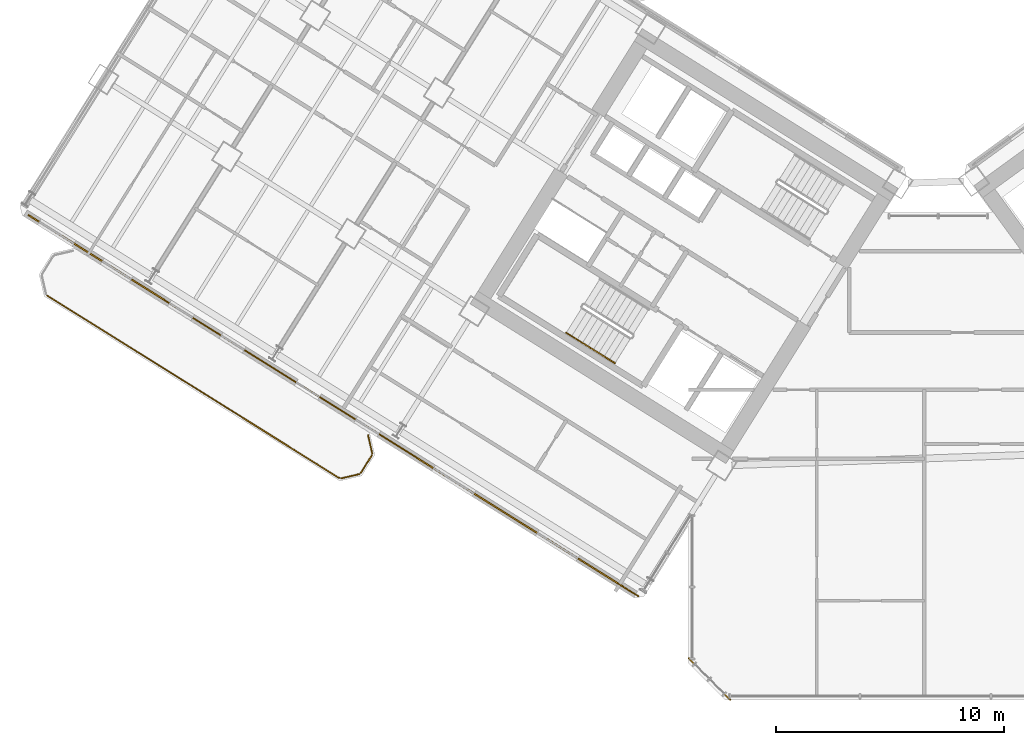
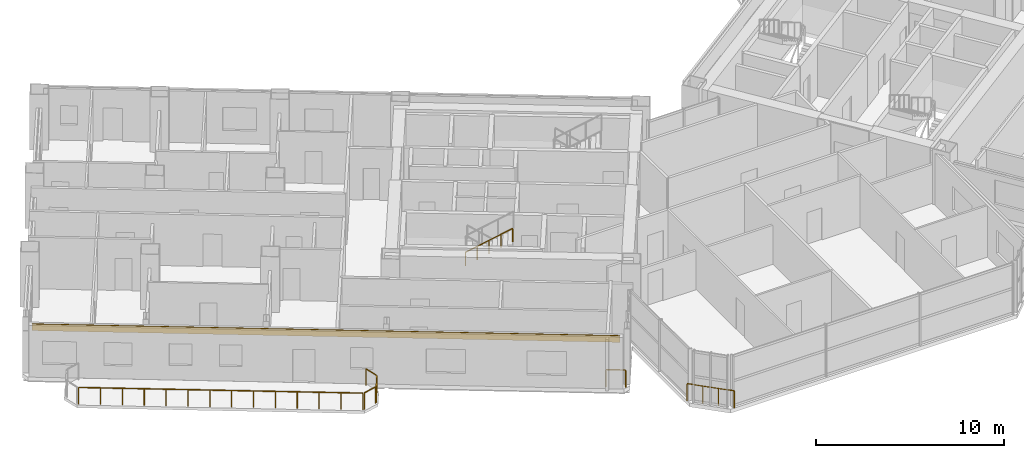
# One storey, part 21 of 28: 8 railings, 1 covering.
"""IFC4 building model written with IfcOpenShell, lengths in metres."""

from ifc_helpers import new_model, si_unit, direction, frame, origin, origin_2d, place, context, subcontext, project, spatial, rectangle, extrude, source, transform, mapped, material, layer, layer_set, type_object, element, save


model = new_model("IFC4")

# Units and contexts
model_context = context("Model", 3, precision=1e-05, world=origin(), true_north=direction((0.0, 1.0)))
body_context = subcontext(model_context, "Body", "Model", "MODEL_VIEW")
ifc_project = project(units=[si_unit("LENGTHUNIT", "METRE"), si_unit("AREAUNIT", "SQUARE_METRE"), si_unit("VOLUMEUNIT", "CUBIC_METRE"), si_unit("PLANEANGLEUNIT", "RADIAN"), si_unit("MASSUNIT", "GRAM", prefix="KILO")], contexts=[model_context])

# Site, building, storey
site_placement = place(None, origin())
site = spatial("IfcSite", under=ifc_project, at=site_placement, CompositionType="ELEMENT")
building_placement = place(site_placement, origin())
building = spatial("IfcBuilding", under=site, at=building_placement, Name="Tlacorven Tower", CompositionType="ELEMENT")
storey_placement = place(building_placement, frame((0.0, 0.0, 49.199951171875)))
storey = spatial("IfcBuildingStorey", under=building, at=storey_placement, Name="L12", CompositionType="ELEMENT", Elevation=49.199951171875)

# Railings
ifc_material_1 = material(Name="Aluminium and painted steel balustrade", Category="steel")
railing_type_1 = type_object("IfcRailingType", Name="RL-BAL-1100", PredefinedType="BALUSTRADE", material=ifc_material_1)
shared_shape_1 = source(origin(), body_context, "Body", "SweptSolid", [
    extrude(rectangle(XDim=0.048095703125, YDim=0.048095703125, at=origin_2d()), frame((0.0, 0.0, 1.076171875), z_axis=(0.225058334816, -0.974345290916, 0.0), x_axis=(0.974345290916, 0.225058334816, 0.0)), (0.0, 0.0, 1.0), 0.80712890625),
    extrude(rectangle(XDim=0.0419921875, YDim=0.0419921875, at=origin_2d()), origin(), (0.0, 0.0, 1.0), 1.052001953125),
    extrude(rectangle(XDim=0.0419921875, YDim=0.0419921875, at=origin_2d()), frame((0.181640625, -0.786376953125, 0.0)), (0.0, 0.0, 1.0), 1.052001953125),
])
railing_1_placement = place(storey_placement, frame((17.5244140625, 13.413330078125, 0.0)))
element("IfcRailing", 1, at=railing_1_placement, inside=storey, type_object=railing_type_1, Name="BAL-L12-W-OUT Guard Railing 1", PredefinedType="BALUSTRADE", context=body_context, shape_type="MappedRepresentation", body=[
    mapped(shared_shape_1, transform((0.0, 0.0, 0.0), scale=1.0)),
])
shared_shape_2 = source(origin(), body_context, "Body", "SweptSolid", [
    extrude(rectangle(XDim=0.048095703125, YDim=0.048095703125, at=origin_2d()), frame((0.0, 0.0, 1.076171875), z_axis=(-0.52987865805, -0.848073468364, 0.0), x_axis=(0.848073468364, -0.52987865805, 0.0)), (0.0, 0.0, 1.0), 0.912353515625),
    extrude(rectangle(XDim=0.0419921875, YDim=0.0419921875, at=origin_2d()), origin(), (0.0, 0.0, 1.0), 1.052001953125),
    extrude(rectangle(XDim=0.0419921875, YDim=0.0419921875, at=origin_2d()), frame((-0.4833984375, -0.773681640625, 0.0)), (0.0, 0.0, 1.0), 1.052001953125),
])
railing_2_placement = place(storey_placement, frame((17.690673828125, 12.535888671875, 0.0)))
element("IfcRailing", 2, at=railing_2_placement, inside=storey, type_object=railing_type_1, Name="BAL-L12-W-OUT Guard Railing 2", PredefinedType="BALUSTRADE", context=body_context, shape_type="MappedRepresentation", body=[
    mapped(shared_shape_2, transform((0.0, 0.0, 0.0), scale=1.0)),
])
shared_shape_3 = source(origin(), body_context, "Body", "SweptSolid", [
    extrude(rectangle(XDim=0.048095703125, YDim=0.048095703125, at=origin_2d()), frame((0.0, 0.0, 1.076171875), z_axis=(-0.974411586182, -0.224771129628, 0.0), x_axis=(0.224771129628, -0.974411586182, 0.0)), (0.0, 0.0, 1.0), 0.80712890625),
    extrude(rectangle(XDim=0.0419921875, YDim=0.0419921875, at=origin_2d()), origin(), (0.0, 0.0, 1.0), 1.052001953125),
    extrude(rectangle(XDim=0.0419921875, YDim=0.0419921875, at=origin_2d()), frame((-0.786376953125, -0.181396484375, 0.0)), (0.0, 0.0, 1.0), 1.052001953125),
])
railing_3_placement = place(storey_placement, frame((17.132080078125, 11.70849609375, 0.0)))
element("IfcRailing", 3, at=railing_3_placement, inside=storey, type_object=railing_type_1, Name="BAL-L12-W-OUT Guard Railing 3", PredefinedType="BALUSTRADE", context=body_context, shape_type="MappedRepresentation", body=[
    mapped(shared_shape_3, transform((0.0, 0.0, 0.0), scale=1.0)),
])
shared_shape_4 = source(origin(), body_context, "Body", "SweptSolid", [
    extrude(rectangle(XDim=0.048095703125, YDim=0.048095703125, at=origin_2d()), frame((0.0, 0.0, 1.076171875), z_axis=(-0.848044572804, 0.529924902733, 0.0), x_axis=(-0.529924902733, -0.848044572804, 0.0)), (0.0, 0.0, 1.0), 15.1171875),
    extrude(rectangle(XDim=0.0419921875, YDim=0.0419921875, at=origin_2d()), origin(), (0.0, 0.0, 1.0), 1.052001953125),
    extrude(rectangle(XDim=0.0419921875, YDim=0.0419921875, at=origin_2d()), frame((-0.986083984375, 0.6162109375, 0.0)), (0.0, 0.0, 1.0), 1.052001953125),
    extrude(rectangle(XDim=0.0419921875, YDim=0.0419921875, at=origin_2d()), frame((-1.972412109375, 1.232421875, 0.0)), (0.0, 0.0, 1.0), 1.052001953125),
    extrude(rectangle(XDim=0.0419921875, YDim=0.0419921875, at=origin_2d()), frame((-2.95849609375, 1.8486328125, 0.0)), (0.0, 0.0, 1.0), 1.052001953125),
    extrude(rectangle(XDim=0.0419921875, YDim=0.0419921875, at=origin_2d()), frame((-3.944580078125, 2.46484375, 0.0)), (0.0, 0.0, 1.0), 1.052001953125),
    extrude(rectangle(XDim=0.0419921875, YDim=0.0419921875, at=origin_2d()), frame((-4.930908203125, 3.0810546875, 0.0)), (0.0, 0.0, 1.0), 1.052001953125),
    extrude(rectangle(XDim=0.0419921875, YDim=0.0419921875, at=origin_2d()), frame((-5.9169921875, 3.697265625, 0.0)), (0.0, 0.0, 1.0), 1.052001953125),
    extrude(rectangle(XDim=0.0419921875, YDim=0.0419921875, at=origin_2d()), frame((-6.903076171875, 4.313720703125, 0.0)), (0.0, 0.0, 1.0), 1.052001953125),
    extrude(rectangle(XDim=0.0419921875, YDim=0.0419921875, at=origin_2d()), frame((-7.88916015625, 4.929931640625, 0.0)), (0.0, 0.0, 1.0), 1.052001953125),
    extrude(rectangle(XDim=0.0419921875, YDim=0.0419921875, at=origin_2d()), frame((-8.87548828125, 5.546142578125, 0.0)), (0.0, 0.0, 1.0), 1.052001953125),
    extrude(rectangle(XDim=0.0419921875, YDim=0.0419921875, at=origin_2d()), frame((-9.861572265625, 6.162353515625, 0.0)), (0.0, 0.0, 1.0), 1.052001953125),
    extrude(rectangle(XDim=0.0419921875, YDim=0.0419921875, at=origin_2d()), frame((-10.84765625, 6.778564453125, 0.0)), (0.0, 0.0, 1.0), 1.052001953125),
    extrude(rectangle(XDim=0.0419921875, YDim=0.0419921875, at=origin_2d()), frame((-11.833984375, 7.394775390625, 0.0)), (0.0, 0.0, 1.0), 1.052001953125),
    extrude(rectangle(XDim=0.0419921875, YDim=0.0419921875, at=origin_2d()), frame((-12.820068359375, 8.010986328125, 0.0)), (0.0, 0.0, 1.0), 1.052001953125),
])
railing_4_placement = place(storey_placement, frame((16.254638671875, 11.542236328125, 0.0)))
element("IfcRailing", 4, at=railing_4_placement, inside=storey, type_object=railing_type_1, Name="BAL-L12-W-OUT Guard Railing 4", PredefinedType="BALUSTRADE", context=body_context, shape_type="MappedRepresentation", body=[
    mapped(shared_shape_4, transform((0.0, 0.0, 0.0), scale=1.0)),
])
railing_type_2 = type_object("IfcRailingType", Name="RL-GRD-1150", PredefinedType="GUARDRAIL", material=ifc_material_1)
shared_shape_5 = source(origin(), body_context, "Body", "SweptSolid", [
    extrude(rectangle(XDim=0.048095703125, YDim=0.048095703125, at=origin_2d()), frame((0.0, 0.0, 1.1259765625), z_axis=(-0.707106781187, 0.707106781187, 0.0), x_axis=(-0.707106781187, -0.707106781187, 0.0)), (0.0, 0.0, 1.0), 2.590087890625),
    extrude(rectangle(XDim=0.0419921875, YDim=0.0419921875, at=origin_2d()), origin(), (0.0, 0.0, 1.0), 1.101806640625),
    extrude(rectangle(XDim=0.0419921875, YDim=0.0419921875, at=origin_2d()), frame((-0.610595703125, 0.610595703125, 0.0)), (0.0, 0.0, 1.0), 1.101806640625),
    extrude(rectangle(XDim=0.0419921875, YDim=0.0419921875, at=origin_2d()), frame((-1.220947265625, 1.220947265625, 0.0)), (0.0, 0.0, 1.0), 1.101806640625),
    extrude(rectangle(XDim=0.0419921875, YDim=0.0419921875, at=origin_2d()), frame((-1.83154296875, 1.83154296875, 0.0)), (0.0, 0.0, 1.0), 1.101806640625),
])
railing_5_placement = place(storey_placement, frame((33.428955078125, 1.79736328125, 0.0)))
element("IfcRailing", 5, at=railing_5_placement, inside=storey, type_object=railing_type_2, Name="L12 Knuckle Glazed Sill Guard 1", PredefinedType="GUARDRAIL", context=body_context, shape_type="MappedRepresentation", body=[
    mapped(shared_shape_5, transform((0.0, 0.0, 0.0), scale=1.0)),
])
shared_shape_6 = source(origin(), body_context, "Body", "SweptSolid", [
    extrude(rectangle(XDim=0.048095703125, YDim=0.048095703125, at=origin_2d()), frame((0.0, 0.0, 1.1259765625), z_axis=(-0.848102774857, 0.529831749973, 0.0), x_axis=(-0.529831749973, -0.848102774857, 0.0)), (0.0, 0.0, 1.0), 1.050048828125),
    extrude(rectangle(XDim=0.0419921875, YDim=0.0419921875, at=origin_2d()), origin(), (0.0, 0.0, 1.0), 1.101806640625),
    extrude(rectangle(XDim=0.0419921875, YDim=0.0419921875, at=origin_2d()), frame((-0.890625, 0.556396484375, 0.0)), (0.0, 0.0, 1.0), 1.101806640625),
])
railing_6_placement = place(storey_placement, frame((29.39501953125, 6.35009765625, 0.0)))
element("IfcRailing", 6, at=railing_6_placement, inside=storey, type_object=railing_type_2, Name="L12 Knuckle Glazed Sill Guard 2", PredefinedType="GUARDRAIL", context=body_context, shape_type="MappedRepresentation", body=[
    mapped(shared_shape_6, transform((0.0, 0.0, 0.0), scale=1.0)),
])

# Covering
ifc_material_2 = material(Name="Precast concrete C45/55", Category="concrete")
ifc_layer = layer(ifc_material_2, 0.06005859375)
ifc_layer_set = layer_set([ifc_layer], Name="Precast concrete C45/55")
covering_type = type_object("IfcCoveringType", Name="CV-CLD-TERC", PredefinedType="CLADDING", material=ifc_layer_set)
shared_shape_7 = source(origin(), body_context, "Body", "SweptSolid", [
    extrude(rectangle(XDim=31.287353515625, YDim=0.06005859375, at=origin_2d()), origin(), (0.0, 0.0, 1.0), 0.419921875),
])
covering_placement = place(storey_placement, frame((15.8740234375, 14.798828125, 2.93017578125), z_axis=(0.0, 0.0, 1.0), x_axis=(-0.84804812172, 0.529919223323, 0.0)))
element("IfcCovering", 7, at=covering_placement, inside=storey, type_object=covering_type, Name="L12 Masonry-Frame Spandrel Cladding 1", PredefinedType="CLADDING", context=body_context, shape_type="MappedRepresentation", body=[
    mapped(shared_shape_7, transform((0.0, 0.0, 0.0), scale=1.0)),
])

# Railings
railing_type_3 = type_object("IfcRailingType", Name="RL-HND-0900", PredefinedType="HANDRAIL", material=ifc_material_1)
shared_shape_8 = source(origin(), body_context, "Body", "SweptSolid", [
    extrude(rectangle(XDim=0.048095703125, YDim=0.048095703125, at=origin_2d()), frame((0.0, 0.0, 0.8759765625), z_axis=(0.713359751793, -0.4457479829, 0.540764828981), x_axis=(0.529911857636, 0.848052724267, 0.0)), (0.0, 0.0, 1.0), 1.498046875),
    extrude(rectangle(XDim=0.0419921875, YDim=0.0419921875, at=origin_2d()), origin(), (0.0, 0.0, 1.0), 0.851806640625),
    extrude(rectangle(XDim=0.0419921875, YDim=0.0419921875, at=origin_2d()), frame((0.5341796875, -0.333984375, 0.405029296875)), (0.0, 0.0, 1.0), 0.851806640625),
    extrude(rectangle(XDim=0.0419921875, YDim=0.0419921875, at=origin_2d()), frame((1.068603515625, -0.667724609375, 0.81005859375)), (0.0, 0.0, 1.0), 0.851806640625),
])
railing_7_placement = place(storey_placement, frame((26.228759765625, 17.915283203125, 1.97998046875)))
element("IfcRailing", 8, at=railing_7_placement, inside=storey, type_object=railing_type_3, Name="L12 ST-W1 stair handrail 3", PredefinedType="HANDRAIL", context=body_context, shape_type="MappedRepresentation", body=[
    mapped(shared_shape_8, transform((0.0, 0.0, 0.0), scale=1.0)),
])
shared_shape_9 = source(origin(), body_context, "Body", "SweptSolid", [
    extrude(rectangle(XDim=0.048095703125, YDim=0.048095703125, at=origin_2d()), frame((0.0, 0.0, 0.8759765625), z_axis=(0.713279695859, -0.445799809912, 0.540827703579), x_axis=(0.529998940003, 0.847998304005, 0.0)), (0.0, 0.0, 1.0), 1.497802734375),
    extrude(rectangle(XDim=0.0419921875, YDim=0.0419921875, at=origin_2d()), origin(), (0.0, 0.0, 1.0), 0.851806640625),
    extrude(rectangle(XDim=0.0419921875, YDim=0.0419921875, at=origin_2d()), frame((0.5341796875, -0.333984375, 0.405029296875)), (0.0, 0.0, 1.0), 0.851806640625),
    extrude(rectangle(XDim=0.0419921875, YDim=0.0419921875, at=origin_2d()), frame((1.068359375, -0.667724609375, 0.81005859375)), (0.0, 0.0, 1.0), 0.851806640625),
])
railing_8_placement = place(storey_placement, frame((27.29736328125, 17.24755859375, 2.7900390625)))
element("IfcRailing", 9, at=railing_8_placement, inside=storey, type_object=railing_type_3, Name="L12 ST-W1 stair handrail 4", PredefinedType="HANDRAIL", context=body_context, shape_type="MappedRepresentation", body=[
    mapped(shared_shape_9, transform((0.0, 0.0, 0.0), scale=1.0)),
])

save(model, "model.ifc")
